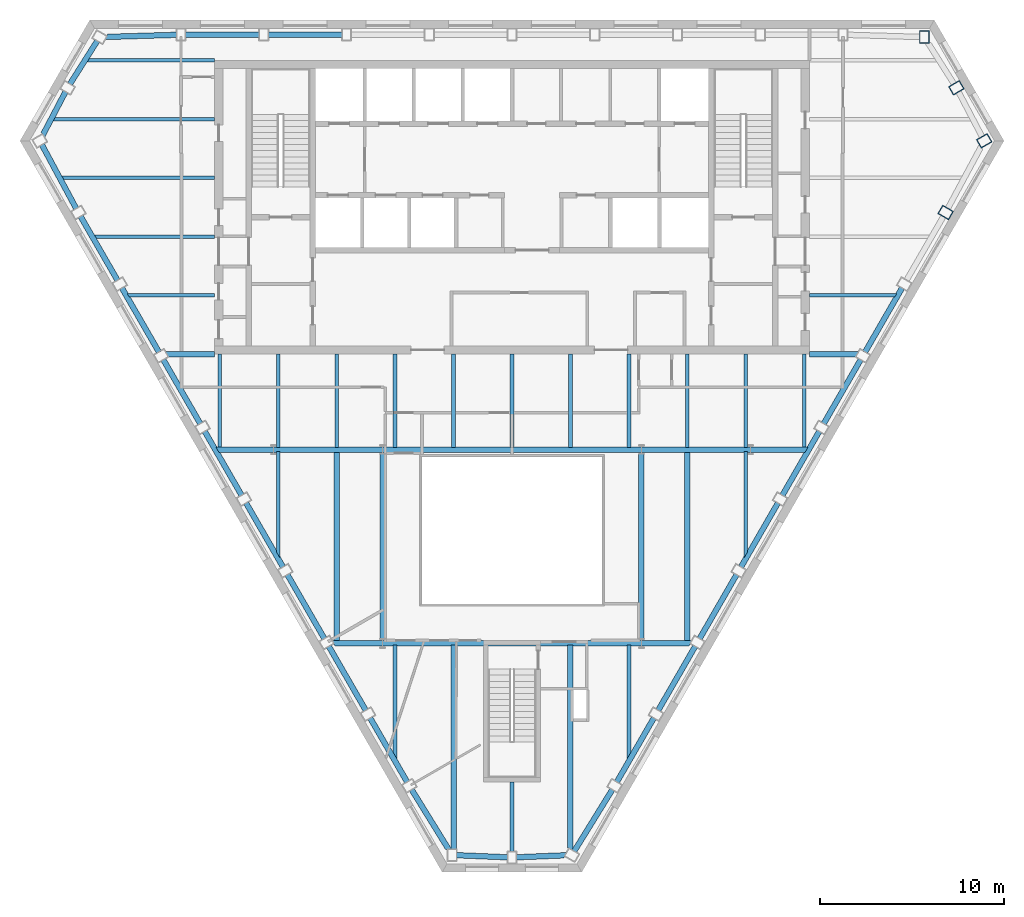
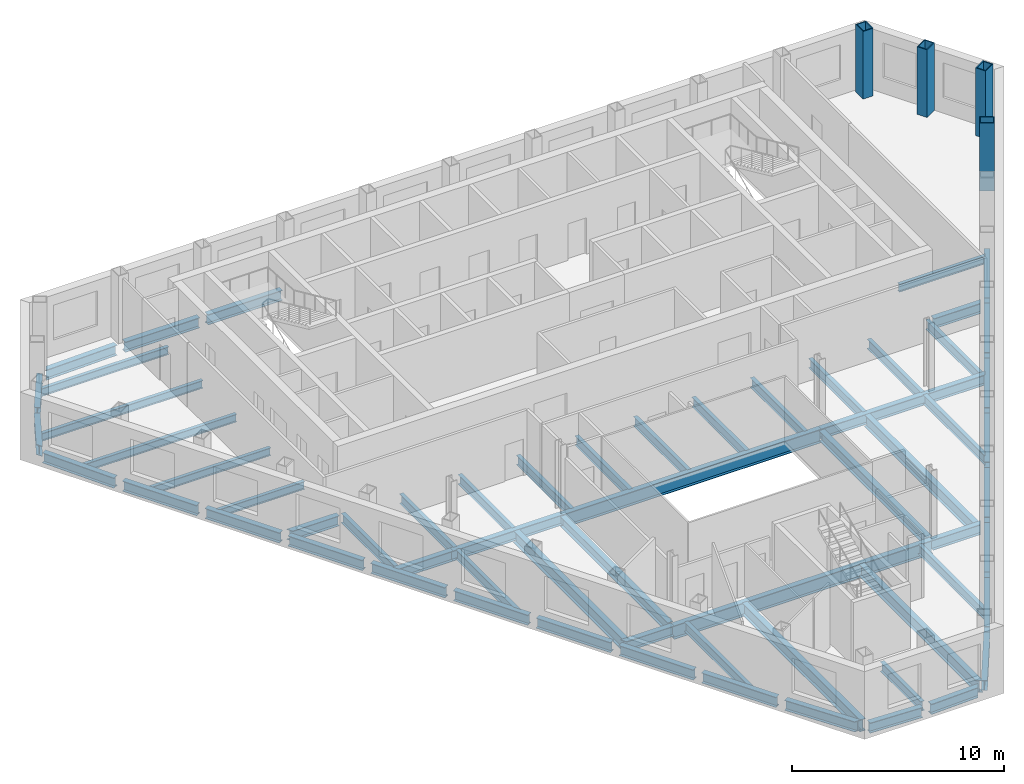
# One storey, part 2 of 10: 63 beams, 4 columns.
"""IFC4 building model written with IfcOpenShell, lengths in metres."""

import ifcopenshell
import ifcopenshell.guid

model = None  # the IFC model being written
_history = None  # IfcOwnerHistory: only IFC2X3 demands one
_inside = {}  # id of a spatial element -> (the spatial element, [elements in it])
_under = {}  # id of a project, library or spatial element -> (it, [spatial elements below it])
_declared = {}  # id of a project -> (the project, [libraries it declares])
_typed = {}  # id of a type object -> (the type object, [elements of that type])
_made_of = {}  # id of a material, layer set ... -> (it, [elements and type objects made of it])


def new_model(schema):
    """Start an empty IFC model of exactly this schema.

    Asked for "IFC4X3", IfcOpenShell would pick the latest addendum, in which some entities
    have other attributes; the version numbers below select the first issue.
    IFC2X3 requires an IfcOwnerHistory on every rooted entity: one is made here for all.
    """
    global model, _history
    if schema == "IFC4X3":
        model = ifcopenshell.file(schema_version=(4, 3, 0, 0))
    else:
        model = ifcopenshell.file(schema=schema)
    _inside.clear()
    _under.clear()
    _declared.clear()
    _typed.clear()
    _made_of.clear()
    _history = None
    if model.schema == "IFC2X3":
        org = make("IfcOrganization", Name="unknown")
        user = make(
            "IfcPersonAndOrganization",
            ThePerson=make("IfcPerson", FamilyName="unknown"),
            TheOrganization=org,
        )
        app = make(
            "IfcApplication",
            ApplicationDeveloper=org,
            Version="unknown",
            ApplicationFullName="unknown",
            ApplicationIdentifier="unknown",
        )
        _history = make(
            "IfcOwnerHistory",
            OwningUser=user,
            OwningApplication=app,
            ChangeAction="ADDED",
            CreationDate=0,
        )
    return model


def make(cls, **values):
    """One entity of the class cls with the attributes given. An attribute that is None is left unset."""
    return model.create_entity(
        cls, **{name: value for name, value in values.items() if value is not None}
    )


def rooted(cls, **values):
    """An entity with a GlobalId (a new one), such as an element, a storey or a relation."""
    return make(cls, GlobalId=ifcopenshell.guid.new(), OwnerHistory=_history, **values)


def si_unit(unit_type, name, prefix=None):
    """IfcSIUnit, for example si_unit("LENGTHUNIT", "METRE", prefix="MILLI")."""
    return make("IfcSIUnit", UnitType=unit_type, Prefix=prefix, Name=name)


def assignment(units):
    """IfcUnitAssignment: the units of a project."""
    return None if units is None else make("IfcUnitAssignment", Units=units)


def point(xyz):
    """IfcCartesianPoint."""
    return None if xyz is None else make("IfcCartesianPoint", Coordinates=xyz)


def direction(xyz):
    """IfcDirection."""
    return None if xyz is None else make("IfcDirection", DirectionRatios=xyz)


def frame(location, z_axis=None, x_axis=None):
    """IfcAxis2Placement3D, a coordinate frame: its origin and axes. An axis left out is left unset."""
    return make(
        "IfcAxis2Placement3D",
        Location=point(location),
        Axis=direction(z_axis),
        RefDirection=direction(x_axis),
    )


def frame_2d(location, x_axis=None):
    """IfcAxis2Placement2D, a coordinate frame in the plane: its origin and x axis."""
    return make(
        "IfcAxis2Placement2D", Location=point(location), RefDirection=direction(x_axis)
    )


def origin():
    """The frame at (0, 0, 0) with its axes left unset."""
    return frame((0.0, 0.0, 0.0))


def origin_2d():
    """The frame at (0, 0) in the plane with its x axis left unset."""
    return frame_2d((0.0, 0.0))


def place(relative_to, where):
    """IfcLocalPlacement: puts the frame where relative to a parent placement (None: the world)."""
    return make(
        "IfcLocalPlacement", PlacementRelTo=relative_to, RelativePlacement=where
    )


def context(
    kind, dimensions, precision=None, world=None, true_north=None, identifier=None
):
    """IfcGeometricRepresentationContext, for example the 3D "Model" context."""
    return make(
        "IfcGeometricRepresentationContext",
        ContextIdentifier=identifier,
        ContextType=kind,
        CoordinateSpaceDimension=dimensions,
        Precision=precision,
        WorldCoordinateSystem=world,
        TrueNorth=true_north,
    )


def subcontext(parent, identifier, kind, view, scale=None):
    """IfcGeometricRepresentationSubContext, for example "Body" below "Model"."""
    return make(
        "IfcGeometricRepresentationSubContext",
        ContextIdentifier=identifier,
        ContextType=kind,
        ParentContext=parent,
        TargetScale=scale,
        TargetView=view,
    )


def project(units=None, contexts=None):
    """IfcProject with its units and contexts."""
    return rooted(
        "IfcProject",
        Name="project",
        RepresentationContexts=contexts,
        UnitsInContext=assignment(units),
    )


def spatial(cls, under=None, at=None, **own):
    """A site, building, storey or space (cls), placed at a placement, below another one or the project."""
    s = rooted(cls, ObjectPlacement=at, **own)
    if under is not None:
        _under.setdefault(under.id(), (under, []))[1].append(s)
    return s


def profile(cls, at=None, kind="AREA", **sizes):
    """A parametric profile (cls). Its sizes go by their IFC names, for example OverallWidth=200.0."""
    return make(cls, ProfileType=kind, Position=at, **sizes)


def hollow_rectangle(**sizes):
    """IfcRectangleHollowProfileDef."""
    return profile("IfcRectangleHollowProfileDef", **sizes)


def i_section(**sizes):
    """IfcIShapeProfileDef."""
    return profile("IfcIShapeProfileDef", **sizes)


def extrude(swept, where, along, depth):
    """IfcExtrudedAreaSolid: the profile swept, set in the frame where, extruded along a direction by depth."""
    return make(
        "IfcExtrudedAreaSolid",
        SweptArea=swept,
        Position=where,
        ExtrudedDirection=direction(along),
        Depth=depth,
    )


def clip(a, b, op="DIFFERENCE"):
    """IfcBooleanClippingResult: the solid a cut by the half space b."""
    return make(
        "IfcBooleanClippingResult", Operator=op, FirstOperand=a, SecondOperand=b
    )


def halfspace(plane, agree):
    """IfcHalfSpaceSolid: all space on one side of the plane z = 0 of the frame plane."""
    return make(
        "IfcHalfSpaceSolid",
        BaseSurface=make("IfcPlane", Position=plane),
        AgreementFlag=agree,
    )


def shape(context_of_items, identifier, shape_type, items):
    """IfcShapeRepresentation: the items that make up one representation, for example the "Body"."""
    return make(
        "IfcShapeRepresentation",
        ContextOfItems=context_of_items,
        RepresentationIdentifier=identifier,
        RepresentationType=shape_type,
        Items=items,
    )


def material(Name=None, Category=None):
    """IfcMaterial."""
    return make("IfcMaterial", Name=Name, Category=Category)


def material_profile(
    of_material, cross_section, Name=None, Category=None, Priority=None
):
    """IfcMaterialProfile: a cross section and its material."""
    return make(
        "IfcMaterialProfile",
        Name=Name,
        Material=of_material,
        Profile=cross_section,
        Priority=Priority,
        Category=Category,
    )


def profile_set(profiles, Name=None, composite=None):
    """IfcMaterialProfileSet."""
    return make(
        "IfcMaterialProfileSet",
        Name=Name,
        MaterialProfiles=profiles,
        CompositeProfile=composite,
    )


def made_of(thing, what):
    """Note that an element or type object is made of a material, layer set ...; save() writes the relation."""
    if what is not None:
        _made_of.setdefault(what.id(), (what, []))[1].append(thing)
    return thing


def type_object(cls, material=None, **own):
    """A type object (cls), such as IfcWallType, which elements share."""
    return made_of(rooted(cls, **own), material)


def element(
    cls,
    number,
    at=None,
    inside=None,
    cuts=None,
    type_object=None,
    material=None,
    context=None,
    identifier="Body",
    shape_type=None,
    held_by="IfcProductDefinitionShape",
    body=None,
    shapes=None,
    **own,
):
    """One element of the class cls, such as IfcWall. Its Tag is "e" and its number.

    at: its placement. inside: the storey or other place that contains it. cuts: it is an
    opening in that element (IfcRelVoidsElement). A single representation is given by context,
    identifier, shape_type and body (its items); several are given by shapes. held_by: the class
    of the entity that holds the representations. save() writes the other relations.
    """
    e = rooted(cls, Tag="e%d" % number, ObjectPlacement=at, **own)
    if body is not None:
        shapes = [shape(context, identifier, shape_type, body)]
    if shapes is not None:
        e.Representation = make(held_by, Representations=shapes)
    if inside is not None:
        _inside.setdefault(inside.id(), (inside, []))[1].append(e)
    if cuts is not None:
        rooted(
            "IfcRelVoidsElement", RelatingBuildingElement=cuts, RelatedOpeningElement=e
        )
    if type_object is not None:
        _typed.setdefault(type_object.id(), (type_object, []))[1].append(e)
    return made_of(e, material)


def aggregate(whole, parts):
    """IfcRelAggregates: a whole, such as a stair, and the parts it consists of."""
    return rooted("IfcRelAggregates", RelatingObject=whole, RelatedObjects=parts)


def save(model, path):
    """Write the relations noted so far, then the file.

    IfcRelAggregates (storeys below a building ...), IfcRelContainedInSpatialStructure (elements
    in a storey), IfcRelDefinesByType, IfcRelAssociatesMaterial and IfcRelDeclares: one each for
    every whole, place, type object, material and project.
    """
    for whole, parts in _under.values():
        aggregate(whole, parts)
    for where, things in _inside.values():
        rooted(
            "IfcRelContainedInSpatialStructure",
            RelatedElements=things,
            RelatingStructure=where,
        )
    for kind, things in _typed.values():
        rooted("IfcRelDefinesByType", RelatedObjects=things, RelatingType=kind)
    for what, things in _made_of.values():
        rooted("IfcRelAssociatesMaterial", RelatedObjects=things, RelatingMaterial=what)
    for by, libraries in _declared.values():
        rooted("IfcRelDeclares", RelatingContext=by, RelatedDefinitions=libraries)
    model.write(path)


model = new_model("IFC4")

# Units and contexts
model_context = context("Model", 3, precision=1e-05, world=origin(), true_north=direction((0.0, 1.0)))
body_context = subcontext(model_context, "Body", "Model", "MODEL_VIEW")
ifc_project = project(units=[si_unit("LENGTHUNIT", "METRE"), si_unit("AREAUNIT", "SQUARE_METRE"), si_unit("VOLUMEUNIT", "CUBIC_METRE"), si_unit("PLANEANGLEUNIT", "RADIAN"), si_unit("MASSUNIT", "GRAM", prefix="KILO")], contexts=[model_context])

# Site, building, storey
site_placement = place(None, origin())
site = spatial("IfcSite", under=ifc_project, at=site_placement, CompositionType="ELEMENT")
building_placement = place(site_placement, origin())
building = spatial("IfcBuilding", under=site, at=building_placement, Name="Njiva Tower", CompositionType="ELEMENT")
storey_placement = place(building_placement, frame((0.0, 0.0, 196.5)))
storey = spatial("IfcBuildingStorey", under=building, at=storey_placement, Name="L43", CompositionType="ELEMENT", Elevation=196.5)

# Columns
ifc_material = material(Name="Steel S355 J2", Category="steel")
ifc_material_profile_1 = material_profile(ifc_material, hollow_rectangle(XDim=0.55, YDim=0.7, WallThickness=0.05, at=origin_2d()), Name="BOX 700x550x50")
ifc_profile_set_1 = profile_set([ifc_material_profile_1], Name="Steel S355 J2")
column_type = type_object("IfcColumnType", Name="C11 Perimeter tube column BOX 700x550x50", PredefinedType="COLUMN", material=ifc_profile_set_1)
for number, where, z_axis, x_axis, name in (
    (1, (22.461, 19.267, 0.0), (0.0, 0.0, 1.0), (-1.0, 0.0, 0.0), "Perimeter tube column S14-C01"),
    (2, (23.622, 9.714, 0.0), (0.0, 0.0, 1.0), (0.5, 0.866025403784, 0.0), "Perimeter tube column S14-C34"),
    (3, (25.723, 13.618, 0.0), (0.0, 0.0, 1.0), (-0.5, 0.866025403784, 0.0), "Perimeter tube column S14-C35"),
    (4, (24.207, 16.509, 0.0), (0.0, 0.0, 1.0), (-0.5, 0.866025403784, 0.0), "Perimeter tube column S14-C36"),
):
    element("IfcColumn", number, at=place(storey_placement, frame(where, z_axis=z_axis, x_axis=x_axis)), inside=storey, type_object=column_type, Name=name, PredefinedType="COLUMN", context=body_context, shape_type="SweptSolid", body=[
        extrude(hollow_rectangle(XDim=0.55, YDim=0.7, WallThickness=0.05, at=origin_2d()), origin(), (0.0, 0.0, 1.0), 3.9),
    ])

# Beams
ifc_material_profile_2 = material_profile(ifc_material, i_section(OverallWidth=0.3, OverallDepth=0.69, WebThickness=0.0145, FlangeThickness=0.027, at=origin_2d()), Name="HEA 700")
ifc_profile_set_2 = profile_set([ifc_material_profile_2], Name="Steel S355 J2")
beam_type_1 = type_object("IfcBeamType", Name="B12 Long-span floor joist HEA 700", PredefinedType="JOIST", material=ifc_profile_set_2)
beam_1_placement = place(storey_placement, frame((-9.55, -3.3, -0.545), z_axis=(0.0, -1.0, 0.0), x_axis=(1.0, 0.0, 0.0)))
element("IfcBeam", 5, at=beam_1_placement, inside=storey, type_object=beam_type_1, Name="Long-span floor joist S14-B055", PredefinedType="JOIST", context=body_context, shape_type="SweptSolid", body=[
    extrude(i_section(OverallWidth=0.3, OverallDepth=0.69, WebThickness=0.0145, FlangeThickness=0.027, at=origin_2d()), origin(), (0.0, 0.0, 1.0), 10.35),
])
beam_2_placement = place(storey_placement, frame((-3.183, -13.85, -0.545), z_axis=(0.0, -1.0, 0.0), x_axis=(1.0, 0.0, 0.0)))
element("IfcBeam", 6, at=beam_2_placement, inside=storey, type_object=beam_type_1, Name="Long-span floor joist S14-B060", PredefinedType="JOIST", context=body_context, shape_type="SweptSolid", body=[
    extrude(i_section(OverallWidth=0.3, OverallDepth=0.69, WebThickness=0.0145, FlangeThickness=0.027, at=origin_2d()), origin(), (0.0, 0.0, 1.0), 11.136),
])
beam_3_placement = place(storey_placement, frame((3.183, -13.85, -0.545), z_axis=(0.0, -1.0, 0.0), x_axis=(1.0, 0.0, 0.0)))
element("IfcBeam", 7, at=beam_3_placement, inside=storey, type_object=beam_type_1, Name="Long-span floor joist S14-B066", PredefinedType="JOIST", context=body_context, shape_type="Clipping", body=[
    clip(extrude(i_section(OverallWidth=0.3, OverallDepth=0.69, WebThickness=0.0145, FlangeThickness=0.027, at=origin_2d()), origin(), (0.0, 0.0, 1.0), 11.212), halfspace(frame((-0.0247, 0.0, 11.1169), z_axis=(-0.499998009787, 0.0, 0.866026552831), x_axis=(0.0, 1.0, 0.0)), False)),
])
beam_4_placement = place(storey_placement, frame((9.55, -3.3, -0.545), z_axis=(0.0, -1.0, 0.0), x_axis=(1.0, 0.0, 0.0)))
element("IfcBeam", 8, at=beam_4_placement, inside=storey, type_object=beam_type_1, Name="Long-span floor joist S14-B070", PredefinedType="JOIST", context=body_context, shape_type="SweptSolid", body=[
    extrude(i_section(OverallWidth=0.3, OverallDepth=0.69, WebThickness=0.0145, FlangeThickness=0.027, at=origin_2d()), origin(), (0.0, 0.0, 1.0), 10.35),
])
ifc_material_profile_3 = material_profile(ifc_material, i_section(OverallWidth=0.3, OverallDepth=0.59, WebThickness=0.013, FlangeThickness=0.025, at=origin_2d()), Name="HEA 600")
ifc_profile_set_3 = profile_set([ifc_material_profile_3], Name="Steel S355 J2")
beam_type_2 = type_object("IfcBeamType", Name="B27 Short-span spandrel beam HEA 600", PredefinedType="SPANDREL", material=ifc_profile_set_3)
beam_5_placement = place(storey_placement, frame((-9.24, 19.4, -0.495), z_axis=(-1.0, 0.0, 0.0), x_axis=(0.0, -1.0, 0.0)))
element("IfcBeam", 9, at=beam_5_placement, inside=storey, type_object=beam_type_2, Name="Short-span spandrel beam S14-B099", PredefinedType="SPANDREL", context=body_context, shape_type="SweptSolid", body=[
    extrude(i_section(OverallWidth=0.3, OverallDepth=0.59, WebThickness=0.013, FlangeThickness=0.025, at=origin_2d()), origin(), (0.0, 0.0, 1.0), 4.058),
])
beam_6_placement = place(storey_placement, frame((-13.748, 19.4, -0.495), z_axis=(-1.0, 0.0, 0.0), x_axis=(0.0, -1.0, 0.0)))
element("IfcBeam", 10, at=beam_6_placement, inside=storey, type_object=beam_type_2, Name="Short-span spandrel beam S14-B094", PredefinedType="SPANDREL", context=body_context, shape_type="SweptSolid", body=[
    extrude(i_section(OverallWidth=0.3, OverallDepth=0.59, WebThickness=0.013, FlangeThickness=0.025, at=origin_2d()), origin(), (0.0, 0.0, 1.0), 4.057),
])
beam_7_placement = place(storey_placement, frame((-18.259, 19.393, -0.495), z_axis=(-0.999546404273, -0.03011620335, 0.0), x_axis=(0.03011620335, -0.999546404273, 0.0)))
element("IfcBeam", 11, at=beam_7_placement, inside=storey, type_object=beam_type_2, Name="Short-span spandrel beam S14-B089", PredefinedType="SPANDREL", context=body_context, shape_type="Clipping", body=[
    clip(extrude(i_section(OverallWidth=0.3, OverallDepth=0.59, WebThickness=0.013, FlangeThickness=0.025, at=origin_2d()), origin(), (0.0, 0.0, 1.0), 3.9647), halfspace(frame((-0.0268, 0.0, 3.835), z_axis=(-0.525852644597, 0.0, 0.850575685151), x_axis=(0.0, 1.0, 0.0)), False)),
])
beam_8_placement = place(storey_placement, frame((-22.584, 19.072, -0.495), z_axis=(-0.535119977312, -0.84477607085, 0.0), x_axis=(0.84477607085, -0.535119977312, 0.0)))
element("IfcBeam", 12, at=beam_8_placement, inside=storey, type_object=beam_type_2, Name="Short-span spandrel beam S14-B086", PredefinedType="SPANDREL", context=body_context, shape_type="SweptSolid", body=[
    extrude(i_section(OverallWidth=0.3, OverallDepth=0.59, WebThickness=0.013, FlangeThickness=0.025, at=origin_2d()), origin(), (0.0, 0.0, 1.0), 2.8031),
])
beam_9_placement = place(storey_placement, frame((-24.314, 16.305, -0.495), z_axis=(-0.464299843048, -0.885678076812, 0.0), x_axis=(0.885678076812, -0.464299843048, 0.0)))
element("IfcBeam", 13, at=beam_9_placement, inside=storey, type_object=beam_type_2, Name="Short-span spandrel beam S14-B083", PredefinedType="SPANDREL", context=body_context, shape_type="Clipping", body=[
    clip(extrude(i_section(OverallWidth=0.3, OverallDepth=0.59, WebThickness=0.013, FlangeThickness=0.025, at=origin_2d()), origin(), (0.0, 0.0, 1.0), 2.7943), halfspace(frame((-0.0268, 0.0, 2.6622), z_axis=(-0.534871734311, 0.0, 0.844933268273), x_axis=(0.0, 1.0, 0.0)), False)),
])
beam_10_placement = place(storey_placement, frame((-25.614, 13.417, -0.495), z_axis=(0.473574818702, -0.880753592721, 0.0), x_axis=(0.880753592721, 0.473574818702, 0.0)))
element("IfcBeam", 14, at=beam_10_placement, inside=storey, type_object=beam_type_2, Name="Short-span spandrel beam S14-B082", PredefinedType="SPANDREL", context=body_context, shape_type="SweptSolid", body=[
    extrude(i_section(OverallWidth=0.3, OverallDepth=0.59, WebThickness=0.013, FlangeThickness=0.025, at=origin_2d()), origin(), (0.0, 0.0, 1.0), 3.9761),
])
beam_11_placement = place(storey_placement, frame((-23.51, 9.519, -0.495), z_axis=(0.500142068684, -0.865943364853, 0.0), x_axis=(0.865943364853, 0.500142068684, 0.0)))
element("IfcBeam", 15, at=beam_11_placement, inside=storey, type_object=beam_type_2, Name="Short-span spandrel beam S14-B087", PredefinedType="SPANDREL", context=body_context, shape_type="SweptSolid", body=[
    extrude(i_section(OverallWidth=0.3, OverallDepth=0.59, WebThickness=0.013, FlangeThickness=0.025, at=origin_2d()), origin(), (0.0, 0.0, 1.0), 4.0568),
])
for number, where, z_axis, x_axis, name in (
    (16, (-21.256, 5.616, -0.495), (0.500035331196, -0.866005004348, 0.0), (0.866005004348, 0.500035331196, 0.0), "Short-span spandrel beam S14-B090"),
    (17, (-19.002, 1.712, -0.495), (0.500035331196, -0.866005004348, 0.0), (0.866005004348, 0.500035331196, 0.0), "Short-span spandrel beam S14-B092"),
):
    element("IfcBeam", number, at=place(storey_placement, frame(where, z_axis=z_axis, x_axis=x_axis)), inside=storey, type_object=beam_type_2, Name=name, PredefinedType="SPANDREL", context=body_context, shape_type="SweptSolid", body=[
        extrude(i_section(OverallWidth=0.3, OverallDepth=0.59, WebThickness=0.013, FlangeThickness=0.025, at=origin_2d()), origin(), (0.0, 0.0, 1.0), 4.0577),
    ])
beam_12_placement = place(storey_placement, frame((-16.748, -2.192, -0.495), z_axis=(0.499957196903, -0.866050114754, 0.0), x_axis=(0.866050114754, 0.499957196903, 0.0)))
element("IfcBeam", 18, at=beam_12_placement, inside=storey, type_object=beam_type_2, Name="Short-span spandrel beam S14-B095", PredefinedType="SPANDREL", context=body_context, shape_type="SweptSolid", body=[
    extrude(i_section(OverallWidth=0.3, OverallDepth=0.59, WebThickness=0.013, FlangeThickness=0.025, at=origin_2d()), origin(), (0.0, 0.0, 1.0), 4.0563),
])
for number, where, z_axis, x_axis, name in (
    (19, (-14.495, -6.095, -0.495), (0.500035331196, -0.866005004348, 0.0), (0.866005004348, 0.500035331196, 0.0), "Short-span spandrel beam S14-B097"),
    (20, (-12.241, -9.999, -0.495), (0.500035331196, -0.866005004348, 0.0), (0.866005004348, 0.500035331196, 0.0), "Short-span spandrel beam S14-B100"),
    (21, (-9.987, -13.903, -0.495), (0.500035331196, -0.866005004348, 0.0), (0.866005004348, 0.500035331196, 0.0), "Short-span spandrel beam S14-B102"),
):
    element("IfcBeam", number, at=place(storey_placement, frame(where, z_axis=z_axis, x_axis=x_axis)), inside=storey, type_object=beam_type_2, Name=name, PredefinedType="SPANDREL", context=body_context, shape_type="SweptSolid", body=[
        extrude(i_section(OverallWidth=0.3, OverallDepth=0.59, WebThickness=0.013, FlangeThickness=0.025, at=origin_2d()), origin(), (0.0, 0.0, 1.0), 4.0577),
    ])
beam_13_placement = place(storey_placement, frame((-7.733, -17.807, -0.495), z_axis=(0.499957196903, -0.866050114754, 0.0), x_axis=(0.866050114754, 0.499957196903, 0.0)))
element("IfcBeam", 22, at=beam_13_placement, inside=storey, type_object=beam_type_2, Name="Short-span spandrel beam S14-B105", PredefinedType="SPANDREL", context=body_context, shape_type="SweptSolid", body=[
    extrude(i_section(OverallWidth=0.3, OverallDepth=0.59, WebThickness=0.013, FlangeThickness=0.025, at=origin_2d()), origin(), (0.0, 0.0, 1.0), 4.0563),
])
beam_14_placement = place(storey_placement, frame((-5.472, -21.71, -0.495), z_axis=(0.525791356516, -0.850613572319, 0.0), x_axis=(0.850613572319, 0.525791356516, 0.0)))
element("IfcBeam", 23, at=beam_14_placement, inside=storey, type_object=beam_type_2, Name="Short-span spandrel beam S14-B107", PredefinedType="SPANDREL", context=body_context, shape_type="Clipping", body=[
    clip(extrude(i_section(OverallWidth=0.3, OverallDepth=0.59, WebThickness=0.013, FlangeThickness=0.025, at=origin_2d()), origin(), (0.0, 0.0, 1.0), 3.9643), halfspace(frame((-0.0259, 0.0, 3.8353), z_axis=(-0.525791356516, 0.0, 0.850613572319), x_axis=(0.0, 1.0, 0.0)), False)),
])
beam_15_placement = place(storey_placement, frame((-3.031, -25.295, -0.495), z_axis=(0.999158235052, -0.041022205295, 0.0), x_axis=(0.041022205295, 0.999158235052, 0.0)))
element("IfcBeam", 24, at=beam_15_placement, inside=storey, type_object=beam_type_2, Name="Short-span spandrel beam S14-B111", PredefinedType="SPANDREL", context=body_context, shape_type="SweptSolid", body=[
    extrude(i_section(OverallWidth=0.3, OverallDepth=0.59, WebThickness=0.013, FlangeThickness=0.025, at=origin_2d()), origin(), (0.0, 0.0, 1.0), 2.8034),
])
beam_16_placement = place(storey_placement, frame((0.23, -25.41, -0.495), z_axis=(0.999156212267, 0.041071443703, 0.0), x_axis=(-0.041071443703, 0.999156212267, 0.0)))
element("IfcBeam", 25, at=beam_16_placement, inside=storey, type_object=beam_type_2, Name="Short-span spandrel beam S14-B113", PredefinedType="SPANDREL", context=body_context, shape_type="Clipping", body=[
    clip(extrude(i_section(OverallWidth=0.3, OverallDepth=0.59, WebThickness=0.013, FlangeThickness=0.025, at=origin_2d()), origin(), (0.0, 0.0, 1.0), 2.7933), halfspace(frame((-0.0271, 0.0, 2.6616), z_axis=(-0.53514507841, 0.0, 0.844760170139), x_axis=(0.0, 1.0, 0.0)), False)),
])
beam_17_placement = place(storey_placement, frame((3.381, -25.091, -0.495), z_axis=(0.52599085004, 0.850490226678, 0.0), x_axis=(-0.850490226678, 0.52599085004, 0.0)))
element("IfcBeam", 26, at=beam_17_placement, inside=storey, type_object=beam_type_2, Name="Short-span spandrel beam S14-B116", PredefinedType="SPANDREL", context=body_context, shape_type="SweptSolid", body=[
    extrude(i_section(OverallWidth=0.3, OverallDepth=0.59, WebThickness=0.013, FlangeThickness=0.025, at=origin_2d()), origin(), (0.0, 0.0, 1.0), 3.9754),
])
beam_18_placement = place(storey_placement, frame((5.705, -21.32, -0.495), z_axis=(0.499957196903, 0.866050114754, 0.0), x_axis=(-0.866050114754, 0.499957196903, 0.0)))
element("IfcBeam", 27, at=beam_18_placement, inside=storey, type_object=beam_type_2, Name="Short-span spandrel beam S14-B119", PredefinedType="SPANDREL", context=body_context, shape_type="SweptSolid", body=[
    extrude(i_section(OverallWidth=0.3, OverallDepth=0.59, WebThickness=0.013, FlangeThickness=0.025, at=origin_2d()), origin(), (0.0, 0.0, 1.0), 4.0563),
])
for number, where, z_axis, x_axis, name in (
    (28, (7.958, -17.417, -0.495), (0.500035331196, 0.866005004348, 0.0), (-0.866005004348, 0.500035331196, 0.0), "Short-span spandrel beam S14-B121"),
    (29, (10.212, -13.513, -0.495), (0.500035331196, 0.866005004348, 0.0), (-0.866005004348, 0.500035331196, 0.0), "Short-span spandrel beam S14-B124"),
    (30, (12.466, -9.609, -0.495), (0.500035331196, 0.866005004348, 0.0), (-0.866005004348, 0.500035331196, 0.0), "Short-span spandrel beam S14-B126"),
):
    element("IfcBeam", number, at=place(storey_placement, frame(where, z_axis=z_axis, x_axis=x_axis)), inside=storey, type_object=beam_type_2, Name=name, PredefinedType="SPANDREL", context=body_context, shape_type="SweptSolid", body=[
        extrude(i_section(OverallWidth=0.3, OverallDepth=0.59, WebThickness=0.013, FlangeThickness=0.025, at=origin_2d()), origin(), (0.0, 0.0, 1.0), 4.0577),
    ])
beam_19_placement = place(storey_placement, frame((14.72, -5.705, -0.495), z_axis=(0.499957196903, 0.866050114754, 0.0), x_axis=(-0.866050114754, 0.499957196903, 0.0)))
element("IfcBeam", 31, at=beam_19_placement, inside=storey, type_object=beam_type_2, Name="Short-span spandrel beam S14-B129", PredefinedType="SPANDREL", context=body_context, shape_type="SweptSolid", body=[
    extrude(i_section(OverallWidth=0.3, OverallDepth=0.59, WebThickness=0.013, FlangeThickness=0.025, at=origin_2d()), origin(), (0.0, 0.0, 1.0), 4.0563),
])
for number, where, z_axis, x_axis, name in (
    (32, (16.973, -1.802, -0.495), (0.500035331196, 0.866005004348, 0.0), (-0.866005004348, 0.500035331196, 0.0), "Short-span spandrel beam S14-B131"),
    (33, (19.227, 2.102, -0.495), (0.500035331196, 0.866005004348, 0.0), (-0.866005004348, 0.500035331196, 0.0), "Short-span spandrel beam S14-B134"),
):
    element("IfcBeam", number, at=place(storey_placement, frame(where, z_axis=z_axis, x_axis=x_axis)), inside=storey, type_object=beam_type_2, Name=name, PredefinedType="SPANDREL", context=body_context, shape_type="SweptSolid", body=[
        extrude(i_section(OverallWidth=0.3, OverallDepth=0.59, WebThickness=0.013, FlangeThickness=0.025, at=origin_2d()), origin(), (0.0, 0.0, 1.0), 4.0577),
    ])
ifc_material_profile_4 = material_profile(ifc_material, i_section(OverallWidth=0.3, OverallDepth=0.59, WebThickness=0.013, FlangeThickness=0.025, at=origin_2d()), Name="HEA 600")
ifc_profile_set_4 = profile_set([ifc_material_profile_4], Name="Steel S355 J2")
beam_type_3 = type_object("IfcBeamType", Name="B28 Floor girder HEA 600", PredefinedType="BEAM", material=ifc_profile_set_4)
for number, where, z_axis, x_axis, name in (
    (34, (-13.0, -3.2, -0.495), (1.0, 0.0, 0.0), (0.0, 1.0, 0.0), "Floor girder S14-B014"),
    (35, (7.05, -3.2, -0.495), (1.0, 0.0, 0.0), (0.0, 1.0, 0.0), "Floor girder S14-B019"),
):
    element("IfcBeam", number, at=place(storey_placement, frame(where, z_axis=z_axis, x_axis=x_axis)), inside=storey, type_object=beam_type_3, Name=name, PredefinedType="BEAM", context=body_context, shape_type="SweptSolid", body=[
        extrude(i_section(OverallWidth=0.3, OverallDepth=0.59, WebThickness=0.013, FlangeThickness=0.025, at=origin_2d()), origin(), (0.0, 0.0, 1.0), 5.95),
    ])
ifc_material_profile_5 = material_profile(ifc_material, i_section(OverallWidth=0.3, OverallDepth=0.59, WebThickness=0.013, FlangeThickness=0.025, at=origin_2d()), Name="HEA 600")
ifc_profile_set_5 = profile_set([ifc_material_profile_5], Name="Steel S355 J2")
beam_type_4 = type_object("IfcBeamType", Name="B29 Short-span floor girder HEA 600", PredefinedType="BEAM", material=ifc_profile_set_5)
beam_20_placement = place(storey_placement, frame((-16.158, -3.2, -0.495), z_axis=(1.0, 0.0, 0.0), x_axis=(0.0, 1.0, 0.0)))
element("IfcBeam", 36, at=beam_20_placement, inside=storey, type_object=beam_type_4, Name="Short-span floor girder S14-B013", PredefinedType="BEAM", context=body_context, shape_type="Clipping", body=[
    clip(extrude(i_section(OverallWidth=0.3, OverallDepth=0.59, WebThickness=0.013, FlangeThickness=0.025, at=origin_2d()), origin(), (0.0, 0.0, 1.0), 3.158), halfspace(frame((-0.025, 0.0, 0.1217), z_axis=(-0.499998009787, 0.0, -0.866026552831), x_axis=(0.0, -1.0, 0.0)), False)),
])
beam_21_placement = place(storey_placement, frame((13.0, -3.2, -0.495), z_axis=(1.0, 0.0, 0.0), x_axis=(0.0, 1.0, 0.0)))
element("IfcBeam", 37, at=beam_21_placement, inside=storey, type_object=beam_type_4, Name="Short-span floor girder S14-B020", PredefinedType="BEAM", context=body_context, shape_type="Clipping", body=[
    clip(extrude(i_section(OverallWidth=0.3, OverallDepth=0.59, WebThickness=0.013, FlangeThickness=0.025, at=origin_2d()), origin(), (0.0, 0.0, 1.0), 3.158), halfspace(frame((-0.025, 0.0, 3.0363), z_axis=(-0.499998009787, 0.0, 0.866026552831), x_axis=(0.0, 1.0, 0.0)), False)),
])
beam_22_placement = place(storey_placement, frame((-9.836, -13.75, -0.495), z_axis=(1.0, 0.0, 0.0), x_axis=(0.0, 1.0, 0.0)))
element("IfcBeam", 38, at=beam_22_placement, inside=storey, type_object=beam_type_4, Name="Short-span floor girder S14-B016", PredefinedType="BEAM", context=body_context, shape_type="Clipping", body=[
    clip(extrude(i_section(OverallWidth=0.3, OverallDepth=0.59, WebThickness=0.013, FlangeThickness=0.025, at=origin_2d()), origin(), (0.0, 0.0, 1.0), 2.786), halfspace(frame((-0.025, 0.0, 0.1211), z_axis=(-0.499998009787, 0.0, -0.866026552831), x_axis=(0.0, -1.0, 0.0)), False)),
])
beam_23_placement = place(storey_placement, frame((7.05, -13.75, -0.495), z_axis=(1.0, 0.0, 0.0), x_axis=(0.0, 1.0, 0.0)))
element("IfcBeam", 39, at=beam_23_placement, inside=storey, type_object=beam_type_4, Name="Short-span floor girder S14-B017", PredefinedType="BEAM", context=body_context, shape_type="Clipping", body=[
    clip(extrude(i_section(OverallWidth=0.3, OverallDepth=0.59, WebThickness=0.013, FlangeThickness=0.025, at=origin_2d()), origin(), (0.0, 0.0, 1.0), 2.786), halfspace(frame((-0.025, 0.0, 2.6649), z_axis=(-0.499998009787, 0.0, 0.866026552831), x_axis=(0.0, 1.0, 0.0)), False)),
])
beam_24_placement = place(storey_placement, frame((-18.929, 2.0, -0.495), z_axis=(1.0, 0.0, 0.0), x_axis=(0.0, 1.0, 0.0)))
element("IfcBeam", 40, at=beam_24_placement, inside=storey, type_object=beam_type_4, Name="Short-span floor girder S14-B012", PredefinedType="BEAM", context=body_context, shape_type="Clipping", body=[
    clip(extrude(i_section(OverallWidth=0.3, OverallDepth=0.59, WebThickness=0.013, FlangeThickness=0.025, at=origin_2d()), origin(), (0.0, 0.0, 1.0), 2.729), halfspace(frame((-0.025, 0.0, 0.1212), z_axis=(-0.499998009787, 0.0, -0.866026552831), x_axis=(0.0, -1.0, 0.0)), False)),
])
beam_25_placement = place(storey_placement, frame((16.2, 2.0, -0.495), z_axis=(1.0, 0.0, 0.0), x_axis=(0.0, 1.0, 0.0)))
element("IfcBeam", 41, at=beam_25_placement, inside=storey, type_object=beam_type_4, Name="Short-span floor girder S14-B021", PredefinedType="BEAM", context=body_context, shape_type="Clipping", body=[
    clip(extrude(i_section(OverallWidth=0.3, OverallDepth=0.59, WebThickness=0.013, FlangeThickness=0.025, at=origin_2d()), origin(), (0.0, 0.0, 1.0), 2.729), halfspace(frame((-0.025, 0.0, 2.6078), z_axis=(-0.499998009787, 0.0, 0.866026552831), x_axis=(0.0, 1.0, 0.0)), False)),
])
ifc_material_profile_6 = material_profile(ifc_material, i_section(OverallWidth=0.3, OverallDepth=0.59, WebThickness=0.013, FlangeThickness=0.025, at=origin_2d()), Name="HEA 600")
ifc_profile_set_6 = profile_set([ifc_material_profile_6], Name="Steel S355 J2")
beam_type_5 = type_object("IfcBeamType", Name="B30 Long-span atrium trimmer beam HEA 600", PredefinedType="BEAM", material=ifc_profile_set_6)
for number, where, z_axis, x_axis, name in (
    (42, (7.05, -13.538, -0.495), (0.0, 1.0, 0.0), (-1.0, 0.0, 0.0), "Long-span atrium trimmer beam S14-B080"),
    (43, (-7.05, -3.412, -0.495), (0.0, -1.0, 0.0), (1.0, 0.0, 0.0), "Long-span atrium trimmer beam S14-B077"),
):
    element("IfcBeam", number, at=place(storey_placement, frame(where, z_axis=z_axis, x_axis=x_axis)), inside=storey, type_object=beam_type_5, Name=name, PredefinedType="BEAM", context=body_context, shape_type="SweptSolid", body=[
        extrude(i_section(OverallWidth=0.3, OverallDepth=0.59, WebThickness=0.013, FlangeThickness=0.025, at=origin_2d()), origin(), (0.0, 0.0, 1.0), 10.126),
    ])
ifc_material_profile_7 = material_profile(ifc_material, i_section(OverallWidth=0.21, OverallDepth=0.55, WebThickness=0.0111, FlangeThickness=0.0172, at=origin_2d()), Name="IPE 550")
ifc_profile_set_7 = profile_set([ifc_material_profile_7], Name="Steel S355 J2")
beam_type_6 = type_object("IfcBeamType", Name="B31 Short-span floor joist IPE 550", PredefinedType="JOIST", material=ifc_profile_set_7)
beam_26_placement = place(storey_placement, frame((0.0, -21.3, -0.475), z_axis=(0.0, -1.0, 0.0), x_axis=(1.0, 0.0, 0.0)))
element("IfcBeam", 44, at=beam_26_placement, inside=storey, type_object=beam_type_6, Name="Short-span floor joist S14-B063", PredefinedType="JOIST", context=body_context, shape_type="SweptSolid", body=[
    extrude(i_section(OverallWidth=0.21, OverallDepth=0.55, WebThickness=0.0111, FlangeThickness=0.0172, at=origin_2d()), origin(), (0.0, 0.0, 1.0), 3.819),
])
ifc_material_profile_8 = material_profile(ifc_material, i_section(OverallWidth=0.21, OverallDepth=0.55, WebThickness=0.0111, FlangeThickness=0.0172, at=origin_2d()), Name="IPE 550")
ifc_profile_set_8 = profile_set([ifc_material_profile_8], Name="Steel S355 J2")
beam_type_7 = type_object("IfcBeamType", Name="B32 Floor joist IPE 550", PredefinedType="JOIST", material=ifc_profile_set_8)
for number, where, z_axis, x_axis, name in (
    (45, (-15.917, 1.995, -0.475), (0.0, -1.0, 0.0), (1.0, 0.0, 0.0), "Floor joist S14-B052"),
    (46, (-12.733, 1.995, -0.475), (0.0, -1.0, 0.0), (1.0, 0.0, 0.0), "Floor joist S14-B054"),
):
    element("IfcBeam", number, at=place(storey_placement, frame(where, z_axis=z_axis, x_axis=x_axis)), inside=storey, type_object=beam_type_7, Name=name, PredefinedType="JOIST", context=body_context, shape_type="SweptSolid", body=[
        extrude(i_section(OverallWidth=0.21, OverallDepth=0.55, WebThickness=0.0111, FlangeThickness=0.0172, at=origin_2d()), origin(), (0.0, 0.0, 1.0), 5.095),
    ])
beam_27_placement = place(storey_placement, frame((-12.733, -3.3, -0.475), z_axis=(0.0, -1.0, 0.0), x_axis=(1.0, 0.0, 0.0)))
element("IfcBeam", 47, at=beam_27_placement, inside=storey, type_object=beam_type_7, Name="Floor joist S14-B053", PredefinedType="JOIST", context=body_context, shape_type="Clipping", body=[
    clip(extrude(i_section(OverallWidth=0.21, OverallDepth=0.55, WebThickness=0.0111, FlangeThickness=0.0172, at=origin_2d()), origin(), (0.0, 0.0, 1.0), 5.848), halfspace(frame((-0.0436, 0.0, 5.571), z_axis=(-0.866026552831, 0.0, 0.499998009787), x_axis=(0.0, 1.0, 0.0)), False)),
])
for number, where, z_axis, x_axis, name in (
    (48, (-9.55, 1.995, -0.475), (0.0, -1.0, 0.0), (1.0, 0.0, 0.0), "Floor joist S14-B056"),
    (49, (-6.367, 1.995, -0.475), (0.0, -1.0, 0.0), (1.0, 0.0, 0.0), "Floor joist S14-B058"),
):
    element("IfcBeam", number, at=place(storey_placement, frame(where, z_axis=z_axis, x_axis=x_axis)), inside=storey, type_object=beam_type_7, Name=name, PredefinedType="JOIST", context=body_context, shape_type="SweptSolid", body=[
        extrude(i_section(OverallWidth=0.21, OverallDepth=0.55, WebThickness=0.0111, FlangeThickness=0.0172, at=origin_2d()), origin(), (0.0, 0.0, 1.0), 5.095),
    ])
beam_28_placement = place(storey_placement, frame((-6.367, -13.85, -0.475), z_axis=(0.0, -1.0, 0.0), x_axis=(1.0, 0.0, 0.0)))
element("IfcBeam", 50, at=beam_28_placement, inside=storey, type_object=beam_type_7, Name="Floor joist S14-B057", PredefinedType="JOIST", context=body_context, shape_type="Clipping", body=[
    clip(extrude(i_section(OverallWidth=0.21, OverallDepth=0.55, WebThickness=0.0111, FlangeThickness=0.0172, at=origin_2d()), origin(), (0.0, 0.0, 1.0), 6.325), halfspace(frame((-0.043, 0.0, 6.0484), z_axis=(-0.866026552831, 0.0, 0.499998009787), x_axis=(0.0, 1.0, 0.0)), False)),
])
for number, where, z_axis, x_axis, name in (
    (51, (-3.183, 1.995, -0.475), (0.0, -1.0, 0.0), (1.0, 0.0, 0.0), "Floor joist S14-B061"),
    (52, (0.0, 1.995, -0.475), (0.0, -1.0, 0.0), (1.0, 0.0, 0.0), "Floor joist S14-B064"),
    (53, (3.183, 1.995, -0.475), (0.0, -1.0, 0.0), (1.0, 0.0, 0.0), "Floor joist S14-B067"),
    (54, (6.367, 1.995, -0.475), (0.0, -1.0, 0.0), (1.0, 0.0, 0.0), "Floor joist S14-B069"),
):
    element("IfcBeam", number, at=place(storey_placement, frame(where, z_axis=z_axis, x_axis=x_axis)), inside=storey, type_object=beam_type_7, Name=name, PredefinedType="JOIST", context=body_context, shape_type="SweptSolid", body=[
        extrude(i_section(OverallWidth=0.21, OverallDepth=0.55, WebThickness=0.0111, FlangeThickness=0.0172, at=origin_2d()), origin(), (0.0, 0.0, 1.0), 5.095),
    ])
beam_29_placement = place(storey_placement, frame((6.367, -13.85, -0.475), z_axis=(0.0, -1.0, 0.0), x_axis=(1.0, 0.0, 0.0)))
element("IfcBeam", 55, at=beam_29_placement, inside=storey, type_object=beam_type_7, Name="Floor joist S14-B068", PredefinedType="JOIST", context=body_context, shape_type="Clipping", body=[
    clip(extrude(i_section(OverallWidth=0.21, OverallDepth=0.55, WebThickness=0.0111, FlangeThickness=0.0172, at=origin_2d()), origin(), (0.0, 0.0, 1.0), 6.325), halfspace(frame((0.043, 0.0, 6.0484), z_axis=(0.866026552831, 0.0, 0.499998009787), x_axis=(0.0, 1.0, 0.0)), False)),
])
for number, where, z_axis, x_axis, name in (
    (56, (9.55, 1.995, -0.475), (0.0, -1.0, 0.0), (1.0, 0.0, 0.0), "Floor joist S14-B071"),
    (57, (12.733, 1.995, -0.475), (0.0, -1.0, 0.0), (1.0, 0.0, 0.0), "Floor joist S14-B073"),
):
    element("IfcBeam", number, at=place(storey_placement, frame(where, z_axis=z_axis, x_axis=x_axis)), inside=storey, type_object=beam_type_7, Name=name, PredefinedType="JOIST", context=body_context, shape_type="SweptSolid", body=[
        extrude(i_section(OverallWidth=0.21, OverallDepth=0.55, WebThickness=0.0111, FlangeThickness=0.0172, at=origin_2d()), origin(), (0.0, 0.0, 1.0), 5.095),
    ])
beam_30_placement = place(storey_placement, frame((12.733, -3.3, -0.475), z_axis=(0.0, -1.0, 0.0), x_axis=(1.0, 0.0, 0.0)))
element("IfcBeam", 58, at=beam_30_placement, inside=storey, type_object=beam_type_7, Name="Floor joist S14-B072", PredefinedType="JOIST", context=body_context, shape_type="Clipping", body=[
    clip(extrude(i_section(OverallWidth=0.21, OverallDepth=0.55, WebThickness=0.0111, FlangeThickness=0.0172, at=origin_2d()), origin(), (0.0, 0.0, 1.0), 5.848), halfspace(frame((0.0436, 0.0, 5.571), z_axis=(0.866026552831, 0.0, 0.499998009787), x_axis=(0.0, 1.0, 0.0)), False)),
])
beam_31_placement = place(storey_placement, frame((15.917, 1.995, -0.475), z_axis=(0.0, -1.0, 0.0), x_axis=(1.0, 0.0, 0.0)))
element("IfcBeam", 59, at=beam_31_placement, inside=storey, type_object=beam_type_7, Name="Floor joist S14-B074", PredefinedType="JOIST", context=body_context, shape_type="SweptSolid", body=[
    extrude(i_section(OverallWidth=0.21, OverallDepth=0.55, WebThickness=0.0111, FlangeThickness=0.0172, at=origin_2d()), origin(), (0.0, 0.0, 1.0), 5.095),
])
ifc_material_profile_9 = material_profile(ifc_material, i_section(OverallWidth=0.19, OverallDepth=0.45, WebThickness=0.0094, FlangeThickness=0.0146, at=origin_2d()), Name="IPE 450")
ifc_profile_set_9 = profile_set([ifc_material_profile_9], Name="Steel S355 J2")
beam_type_8 = type_object("IfcBeamType", Name="B37 Floor beam to the core IPE 450", PredefinedType="BEAM", material=ifc_profile_set_9)
beam_32_placement = place(storey_placement, frame((-20.976, 5.2, -0.425), z_axis=(1.0, 0.0, 0.0), x_axis=(0.0, 1.0, 0.0)))
element("IfcBeam", 60, at=beam_32_placement, inside=storey, type_object=beam_type_8, Name="Floor beam to the core S14-B005", PredefinedType="BEAM", context=body_context, shape_type="Clipping", body=[
    clip(extrude(i_section(OverallWidth=0.19, OverallDepth=0.45, WebThickness=0.0094, FlangeThickness=0.0146, at=origin_2d()), origin(), (0.0, 0.0, 1.0), 4.776), halfspace(frame((-0.025, 0.0, 0.0899), z_axis=(-0.499998009787, 0.0, -0.866026552831), x_axis=(0.0, -1.0, 0.0)), False)),
])
beam_33_placement = place(storey_placement, frame((16.2, 5.2, -0.425), z_axis=(1.0, 0.0, 0.0), x_axis=(0.0, 1.0, 0.0)))
element("IfcBeam", 61, at=beam_33_placement, inside=storey, type_object=beam_type_8, Name="Floor beam to the core S14-B006", PredefinedType="BEAM", context=body_context, shape_type="Clipping", body=[
    clip(extrude(i_section(OverallWidth=0.19, OverallDepth=0.45, WebThickness=0.0094, FlangeThickness=0.0146, at=origin_2d()), origin(), (0.0, 0.0, 1.0), 4.776), halfspace(frame((-0.025, 0.0, 4.6861), z_axis=(-0.499998009787, 0.0, 0.866026552831), x_axis=(0.0, 1.0, 0.0)), False)),
])
beam_34_placement = place(storey_placement, frame((-22.823, 8.4, -0.425), z_axis=(1.0, 0.0, 0.0), x_axis=(0.0, 1.0, 0.0)))
element("IfcBeam", 62, at=beam_34_placement, inside=storey, type_object=beam_type_8, Name="Floor beam to the core S14-B004", PredefinedType="BEAM", context=body_context, shape_type="Clipping", body=[
    clip(extrude(i_section(OverallWidth=0.19, OverallDepth=0.45, WebThickness=0.0094, FlangeThickness=0.0146, at=origin_2d()), origin(), (0.0, 0.0, 1.0), 6.623), halfspace(frame((-0.025, 0.0, 0.0894), z_axis=(-0.499998009787, 0.0, -0.866026552831), x_axis=(0.0, -1.0, 0.0)), False)),
])
beam_35_placement = place(storey_placement, frame((-24.594, 11.6, -0.425), z_axis=(1.0, 0.0, 0.0), x_axis=(0.0, 1.0, 0.0)))
element("IfcBeam", 63, at=beam_35_placement, inside=storey, type_object=beam_type_8, Name="Floor beam to the core S14-B002", PredefinedType="BEAM", context=body_context, shape_type="Clipping", body=[
    clip(extrude(i_section(OverallWidth=0.19, OverallDepth=0.45, WebThickness=0.0094, FlangeThickness=0.0146, at=origin_2d()), origin(), (0.0, 0.0, 1.0), 8.394), halfspace(frame((-0.0237, 0.0, 0.0835), z_axis=(-0.473769423091, 0.0, -0.880648927634), x_axis=(0.0, -1.0, 0.0)), False)),
])
beam_36_placement = place(storey_placement, frame((-25.06, 14.8, -0.425), z_axis=(1.0, 0.0, 0.0), x_axis=(0.0, 1.0, 0.0)))
element("IfcBeam", 64, at=beam_36_placement, inside=storey, type_object=beam_type_8, Name="Floor beam to the core S14-B001", PredefinedType="BEAM", context=body_context, shape_type="Clipping", body=[
    clip(extrude(i_section(OverallWidth=0.19, OverallDepth=0.45, WebThickness=0.0094, FlangeThickness=0.0146, at=origin_2d()), origin(), (0.0, 0.0, 1.0), 8.86), halfspace(frame((0.0232, 0.0, 0.082), z_axis=(0.464267418007, 0.0, -0.885695074265), x_axis=(0.0, -1.0, 0.0)), False)),
])
beam_37_placement = place(storey_placement, frame((-23.225, 18.0, -0.425), z_axis=(1.0, 0.0, 0.0), x_axis=(0.0, 1.0, 0.0)))
element("IfcBeam", 65, at=beam_37_placement, inside=storey, type_object=beam_type_8, Name="Floor beam to the core S14-B003", PredefinedType="BEAM", context=body_context, shape_type="Clipping", body=[
    clip(extrude(i_section(OverallWidth=0.19, OverallDepth=0.45, WebThickness=0.0094, FlangeThickness=0.0146, at=origin_2d()), origin(), (0.0, 0.0, 1.0), 7.025), halfspace(frame((0.0267, 0.0, 0.097), z_axis=(0.534902428971, 0.0, -0.84491383672), x_axis=(0.0, -1.0, 0.0)), False)),
])
ifc_material_profile_10 = material_profile(ifc_material, i_section(OverallWidth=0.3, OverallDepth=0.79, WebThickness=0.015, FlangeThickness=0.028, at=origin_2d()), Name="HEA 800")
ifc_profile_set_10 = profile_set([ifc_material_profile_10], Name="Steel S355 J2")
beam_type_9 = type_object("IfcBeamType", Name="B9 Long-span atrium trimmer beam HEA 800", PredefinedType="BEAM", material=ifc_profile_set_10)
for number, where, z_axis, x_axis, name in (
    (66, (-7.05, -13.75, -0.595), (1.0, 0.0, 0.0), (0.0, 1.0, 0.0), "Long-span atrium trimmer beam S14-B076"),
    (67, (7.05, -3.2, -0.595), (-1.0, 0.0, 0.0), (0.0, -1.0, 0.0), "Long-span atrium trimmer beam S14-B078"),
):
    element("IfcBeam", number, at=place(storey_placement, frame(where, z_axis=z_axis, x_axis=x_axis)), inside=storey, type_object=beam_type_9, Name=name, PredefinedType="BEAM", context=body_context, shape_type="SweptSolid", body=[
        extrude(i_section(OverallWidth=0.3, OverallDepth=0.79, WebThickness=0.015, FlangeThickness=0.028, at=origin_2d()), origin(), (0.0, 0.0, 1.0), 14.1),
    ])

save(model, "model.ifc")
